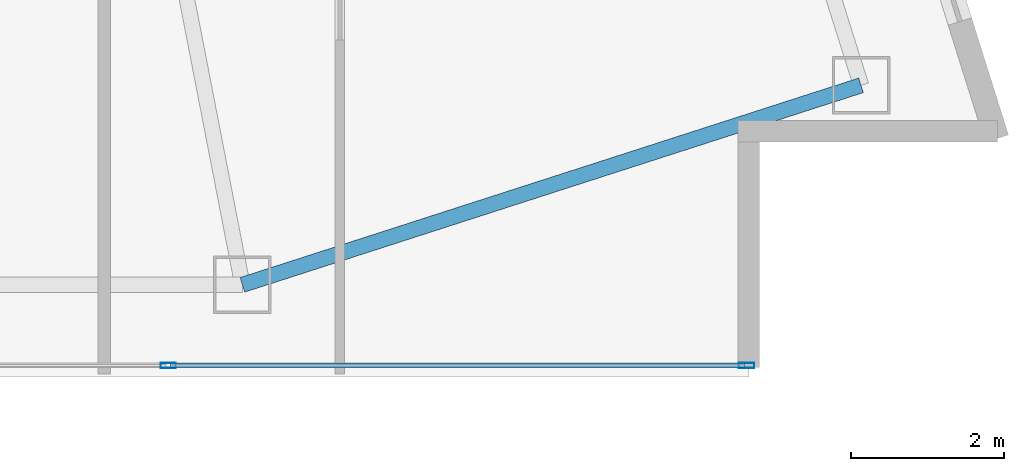
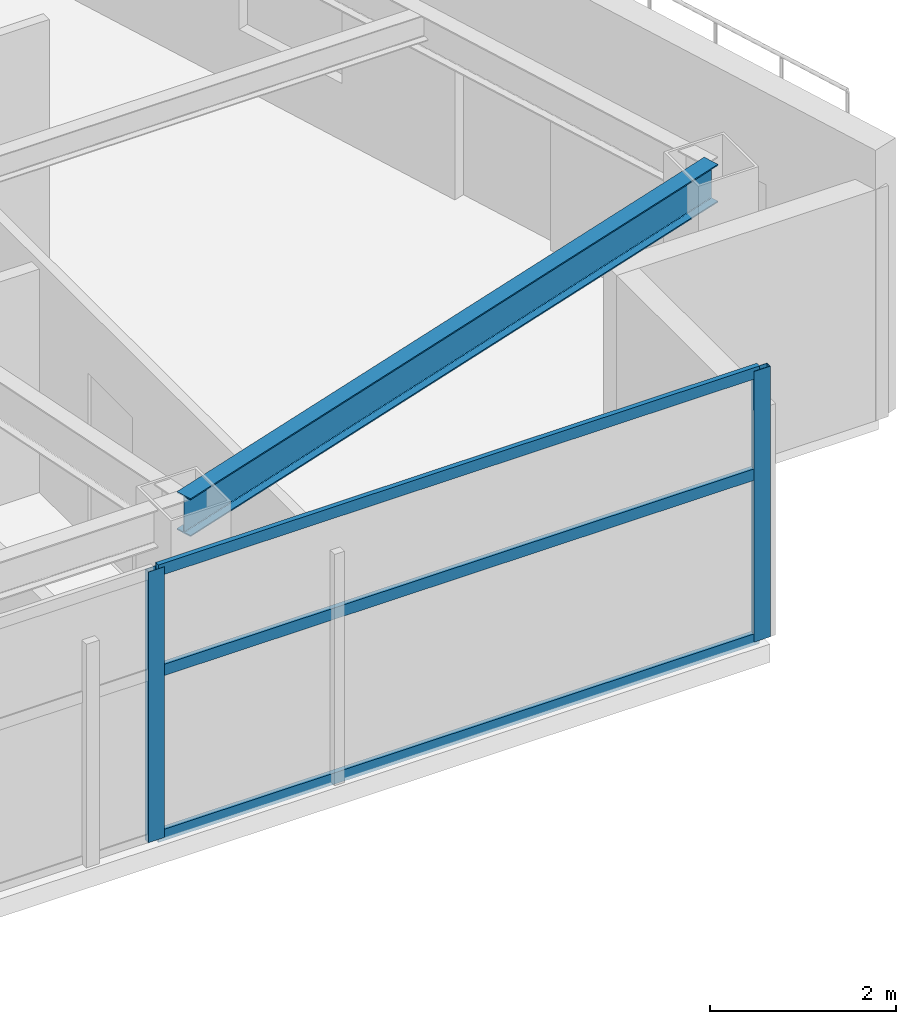
# One storey, part 14 of 29: 5 members, 1 beam, 1 element without a shape of its own.
"""IFC4 building model written with IfcOpenShell, lengths in metres."""

from ifc_helpers import new_model, si_unit, direction, frame, origin, origin_2d, place, context, subcontext, project, spatial, hollow_rectangle, i_section, extrude, material, layer, layer_set, material_profile, profile_set, type_object, element, aggregate, save


model = new_model("IFC4")

# Units and contexts
model_context = context("Model", 3, precision=1e-05, world=origin(), true_north=direction((0.0, 1.0)))
body_context = subcontext(model_context, "Body", "Model", "MODEL_VIEW")
ifc_project = project(units=[si_unit("LENGTHUNIT", "METRE"), si_unit("AREAUNIT", "SQUARE_METRE"), si_unit("VOLUMEUNIT", "CUBIC_METRE"), si_unit("PLANEANGLEUNIT", "RADIAN"), si_unit("MASSUNIT", "GRAM", prefix="KILO")], contexts=[model_context])

# Site, building, storey
site_placement = place(None, origin())
site = spatial("IfcSite", under=ifc_project, at=site_placement, CompositionType="ELEMENT")
building_placement = place(site_placement, origin())
building = spatial("IfcBuilding", under=site, at=building_placement, Name="Calvorn Quay Hotel", CompositionType="ELEMENT")
storey_placement = place(building_placement, frame((0.0, 0.0, 171.300048828125)))
storey = spatial("IfcBuildingStorey", under=building, at=storey_placement, Name="L42", CompositionType="ELEMENT", Elevation=171.300048828125)

# Beam
ifc_material_1 = material(Name="Steel Q355B", Category="steel")
ifc_material_profile_1 = material_profile(ifc_material_1, i_section(OverallWidth=0.199951171875, OverallDepth=0.5, WebThickness=0.010009765625, FlangeThickness=0.01611328125, FilletRadius=0.01611328125, at=origin_2d()), Name="HN500x200x10x16")
ifc_profile_set_1 = profile_set([ifc_material_profile_1], Name="Steel Q355B")
beam_type = type_object("IfcBeamType", Name="BM-SPANDREL-Z1", PredefinedType="SPANDREL", material=ifc_profile_set_1)
beam_placement = place(storey_placement, frame((49.39990234375, 3.60009765625, 3.2900390625), z_axis=(0.951725188386, 0.306951406237, 0.0), x_axis=(-0.306951406237, 0.951725188386, 0.0)))
element("IfcBeam", 1, at=beam_placement, inside=storey, type_object=beam_type, Name="Beam BSP-L42-S6", PredefinedType="SPANDREL", context=body_context, shape_type="SweptSolid", body=[
    extrude(i_section(OverallWidth=0.199951171875, OverallDepth=0.5, WebThickness=0.010009765625, FlangeThickness=0.01611328125, FilletRadius=0.01611328125, at=origin_2d()), origin(), (0.0, 0.0, 1.0), 8.469970703125),
])

# Curtain wall, members
ifc_material_2 = material(Name="Pale Anodised Aluminium and Low-E Glass", Category="aluminium")
ifc_layer = layer(ifc_material_2, 0.219970703125)
ifc_layer_set = layer_set([ifc_layer], Name="CW-SYS-Z2")
curtain_wall_type = type_object("IfcCurtainWallType", Name="CW-SYS-Z2", PredefinedType="NOTDEFINED", material=ifc_layer_set)
curtain_wall_placement = place(storey_placement, origin())
curtain_wall = element("IfcCurtainWall", 2, at=curtain_wall_placement, inside=storey, type_object=curtain_wall_type, Name="Tower South Waterfront Curtain Wall (L42)", PredefinedType="NOTDEFINED")
ifc_material_3 = material(Name="Pale Anodised Aluminium 6063-T6", Category="aluminium")
ifc_material_profile_2 = material_profile(ifc_material_3, hollow_rectangle(XDim=0.070068359375, YDim=0.199951171875, WallThickness=0.00390625, at=origin_2d()), Name="ALU-M200x70x4")
ifc_profile_set_2 = profile_set([ifc_material_profile_2], Name="Pale Anodised Aluminium 6063-T6")
member_type_1 = type_object("IfcMemberType", Name="CW-SYS-Z2-MUL", PredefinedType="MULLION", material=ifc_profile_set_2)
member_1_placement = place(storey_placement, frame((48.433349609375, 2.550048828125, 0.0), z_axis=(0.0, 0.0, 1.0), x_axis=(0.0, 1.0, 0.0)))
member_1 = element("IfcMember", 3, at=member_1_placement, type_object=member_type_1, Name="CW-L42-S mullion 6", PredefinedType="MULLION", context=body_context, shape_type="SweptSolid", body=[
    extrude(hollow_rectangle(XDim=0.070068359375, YDim=0.199951171875, WallThickness=0.00390625, at=origin_2d()), origin(), (0.0, 0.0, 1.0), 3.56005859375),
])
member_2_placement = place(storey_placement, frame((55.969970703125, 2.550048828125, 0.0), z_axis=(0.0, 0.0, 1.0), x_axis=(0.0, 1.0, 0.0)))
member_2 = element("IfcMember", 4, at=member_2_placement, type_object=member_type_1, Name="CW-L42-S mullion 7", PredefinedType="MULLION", context=body_context, shape_type="SweptSolid", body=[
    extrude(hollow_rectangle(XDim=0.070068359375, YDim=0.199951171875, WallThickness=0.00390625, at=origin_2d()), origin(), (0.0, 0.0, 1.0), 3.56005859375),
])
ifc_material_4 = material(Name="Pale Anodised Aluminium 6063-T6", Category="aluminium")
ifc_material_profile_3 = material_profile(ifc_material_4, hollow_rectangle(XDim=0.06005859375, YDim=0.14990234375, WallThickness=0.00341796875, at=origin_2d()), Name="ALU-T150x60x3.5")
ifc_profile_set_3 = profile_set([ifc_material_profile_3], Name="Pale Anodised Aluminium 6063-T6")
member_type_2 = type_object("IfcMemberType", Name="CW-SYS-Z2-TRN", PredefinedType="USERDEFINED", material=ifc_profile_set_3)
member_3_placement = place(storey_placement, frame((48.46337890625, 2.550048828125, 0.030029296875), z_axis=(1.0, 0.0, 0.0), x_axis=(0.0, 1.0, 0.0)))
member_3 = element("IfcMember", 5, at=member_3_placement, type_object=member_type_2, Name="CW-L42-S transom 6.1", ObjectType="TRANSOM", PredefinedType="USERDEFINED", context=body_context, shape_type="SweptSolid", body=[
    extrude(hollow_rectangle(XDim=0.06005859375, YDim=0.14990234375, WallThickness=0.00341796875, at=origin_2d()), origin(), (0.0, 0.0, 1.0), 7.4765625),
])
member_4_placement = place(storey_placement, frame((48.46337890625, 2.550048828125, 2.199951171875), z_axis=(1.0, 0.0, 0.0), x_axis=(0.0, 1.0, 0.0)))
member_4 = element("IfcMember", 6, at=member_4_placement, type_object=member_type_2, Name="CW-L42-S transom 6.2", ObjectType="TRANSOM", PredefinedType="USERDEFINED", context=body_context, shape_type="SweptSolid", body=[
    extrude(hollow_rectangle(XDim=0.06005859375, YDim=0.14990234375, WallThickness=0.00341796875, at=origin_2d()), origin(), (0.0, 0.0, 1.0), 7.4765625),
])
member_5_placement = place(storey_placement, frame((48.46337890625, 2.550048828125, 3.530029296875), z_axis=(1.0, 0.0, 0.0), x_axis=(0.0, 1.0, 0.0)))
member_5 = element("IfcMember", 7, at=member_5_placement, type_object=member_type_2, Name="CW-L42-S transom 6.3", ObjectType="TRANSOM", PredefinedType="USERDEFINED", context=body_context, shape_type="SweptSolid", body=[
    extrude(hollow_rectangle(XDim=0.06005859375, YDim=0.14990234375, WallThickness=0.00341796875, at=origin_2d()), origin(), (0.0, 0.0, 1.0), 7.4765625),
])
aggregate(curtain_wall, [member_1, member_2, member_3, member_4, member_5])

save(model, "model.ifc")
